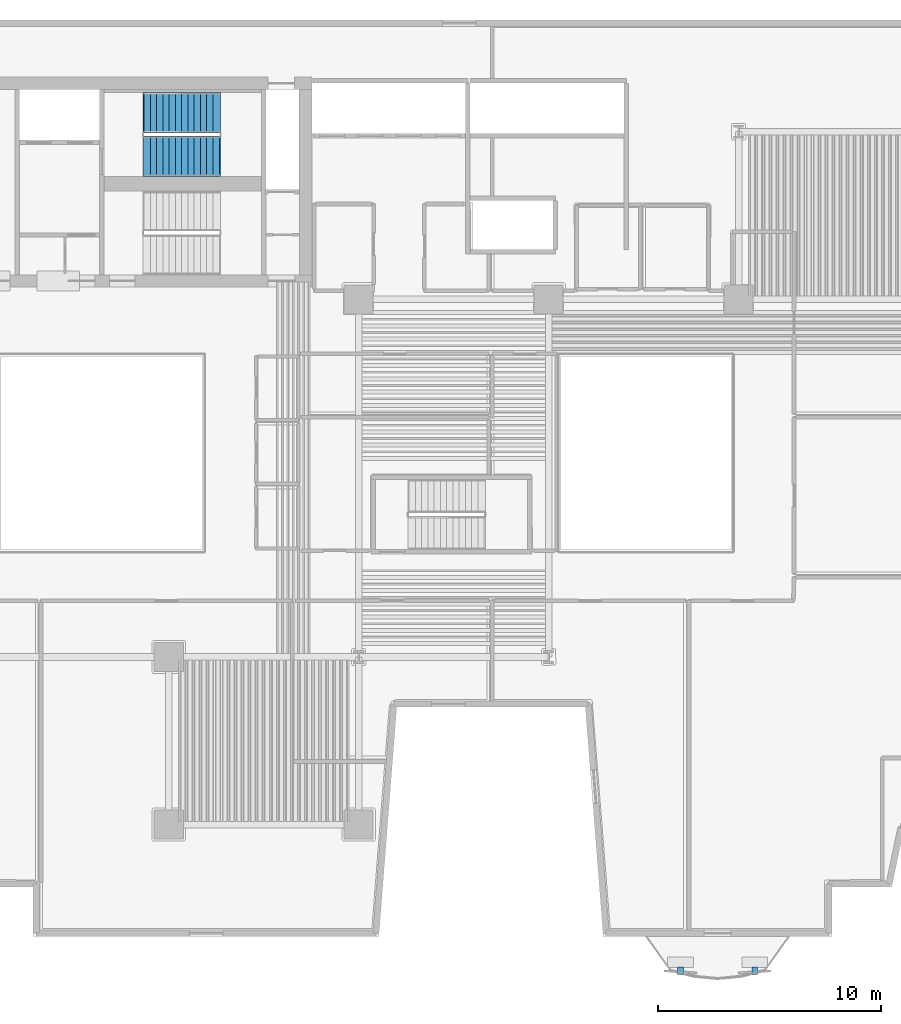
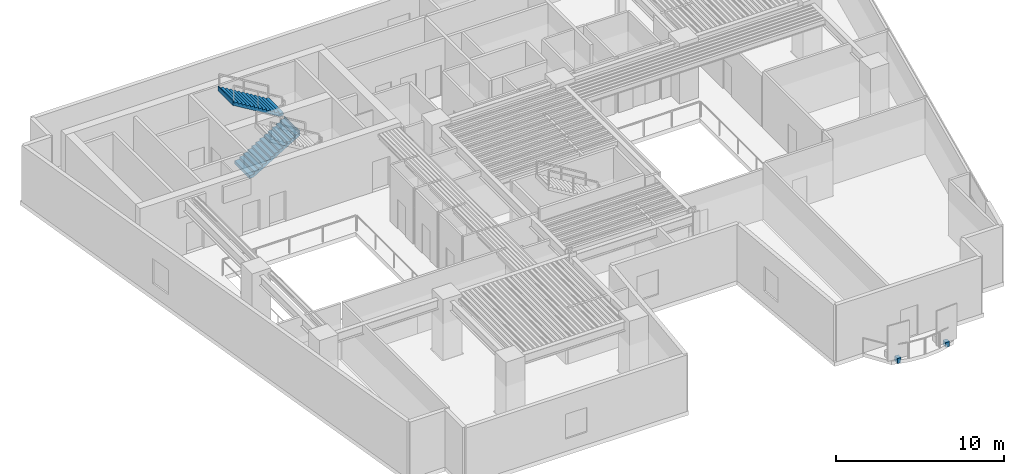
# One storey, part 7 of 12: 2 discrete accessories, 2 stair flights, 1 element without a shape of its own.
"""IFC4 building model written with IfcOpenShell, lengths in metres."""

from ifc_helpers import new_model, si_unit, direction, frame, origin, origin_2d, place, context, subcontext, project, spatial, polyline, rectangle, outline, extrude, material, type_object, element, aggregate, save


model = new_model("IFC4")

# Units and contexts
model_context = context("Model", 3, precision=1e-05, world=origin(), true_north=direction((0.0, 1.0)))
body_context = subcontext(model_context, "Body", "Model", "MODEL_VIEW")
ifc_project = project(units=[si_unit("LENGTHUNIT", "METRE"), si_unit("AREAUNIT", "SQUARE_METRE"), si_unit("VOLUMEUNIT", "CUBIC_METRE"), si_unit("PLANEANGLEUNIT", "RADIAN"), si_unit("MASSUNIT", "GRAM", prefix="KILO")], contexts=[model_context])

# Site, building, storey
site_placement = place(None, origin())
site = spatial("IfcSite", under=ifc_project, at=site_placement, CompositionType="ELEMENT")
building_placement = place(site_placement, origin())
building = spatial("IfcBuilding", under=site, at=building_placement, Name="Caeloran Harvest Quay", CompositionType="ELEMENT")
storey_placement = place(building_placement, frame((0.0, 0.0, 57.800048828125)))
storey = spatial("IfcBuildingStorey", under=building, at=storey_placement, Name="L13", CompositionType="ELEMENT", Elevation=57.800048828125)

# Stair, stair flights
ifc_material_1 = material(Name="Concrete C50/60", Category="concrete")
stair_type = type_object("IfcStairType", Name="STAIR-STC-180", PredefinedType="HALF_TURN_STAIR", material=ifc_material_1)
stair_placement = place(storey_placement, origin())
stair = element("IfcStair", 1, at=stair_placement, inside=storey, type_object=stair_type, Name="L13 Core Pressurized Exit Stair ST-C1", PredefinedType="HALF_TURN_STAIR")
stair_flight_type = type_object("IfcStairFlightType", Name="FLIGHT-STC-180", PredefinedType="STRAIGHT", material=ifc_material_1)
stair_flight_1_placement = place(storey_placement, frame((15.89990234375, 37.39990234375, 0.0), z_axis=(0.0, 0.0, 1.0), x_axis=(1.0, 0.0, 0.0)))
stair_flight_1 = element("IfcStairFlight", 2, at=stair_flight_1_placement, type_object=stair_flight_type, Name="ST-C1 flight 1", NumberOfRisers=13, NumberOfTreads=12, PredefinedType="STRAIGHT", RiserHeight=0.169230769, TreadLength=0.28, context=body_context, shape_type="SweptSolid", body=[
    extrude(outline(polyline([(-0.054931640625, -0.044921875), (-0.054931640625, -0.031494140625), (-0.054931640625, -0.018310546875), (-0.054931640625, -0.0048828125), (-0.054931640625, 0.008544921875), (-0.054931640625, 0.02197265625), (-0.054931640625, 0.035400390625), (-0.054931640625, 0.048828125), (-0.054931640625, 0.06201171875), (-0.054931640625, 0.075439453125), (-0.054931640625, 0.0888671875), (-0.054931640625, 0.102294921875), (-0.054931640625, 0.11572265625), (-0.054931640625, 0.129150390625), (-0.054931640625, 0.142333984375), (-0.054931640625, 0.15576171875), (-0.054931640625, 0.169189453125), (0.280029296875, 0.169189453125), (0.280029296875, 0.33837890625), (0.56005859375, 0.33837890625), (0.56005859375, 0.5078125), (0.840087890625, 0.5078125), (0.840087890625, 0.677001953125), (1.1201171875, 0.677001953125), (1.1201171875, 0.84619140625), (1.39990234375, 0.84619140625), (1.39990234375, 1.015380859375), (1.679931640625, 1.015380859375), (1.679931640625, 1.1845703125), (1.9599609375, 1.1845703125), (1.9599609375, 1.353759765625), (2.239990234375, 1.353759765625), (2.239990234375, 1.523193359375), (2.52001953125, 1.523193359375), (2.52001953125, 1.6923828125), (2.800048828125, 1.6923828125), (2.800048828125, 1.861572265625), (3.080078125, 1.861572265625), (3.080078125, 2.03076171875), (3.360107421875, 2.03076171875), (3.360107421875, 2.199951171875), (3.4150390625, 2.199951171875), (3.4150390625, 2.178466796875), (3.4150390625, 2.156982421875), (3.4150390625, 2.135498046875), (3.4150390625, 2.114013671875), (3.4150390625, 2.09228515625), (3.4150390625, 2.07080078125), (3.4150390625, 2.04931640625), (3.4150390625, 2.02783203125), (3.4150390625, 2.00634765625), (3.4150390625, 1.98486328125), (3.4150390625, 1.963134765625), (3.4150390625, 1.941650390625), (3.4150390625, 1.920166015625), (3.4150390625, 1.898681640625), (3.4150390625, 1.877197265625), (3.4150390625, 1.855712890625), (3.360107421875, 1.855712890625), (0.21533203125, -0.044921875), (-0.054931640625, -0.044921875)])), frame((0.0, 0.89990234375, 0.0), z_axis=(0.0, -1.0, 0.0), x_axis=(1.0, 0.0, 0.0)), (0.0, 0.0, 1.0), 1.800048828125),
])
stair_flight_2_placement = place(storey_placement, frame((19.260009765625, 39.35009765625, 2.199951171875), z_axis=(0.0, 0.0, 1.0), x_axis=(-1.0, 0.0, 0.0)))
stair_flight_2 = element("IfcStairFlight", 3, at=stair_flight_2_placement, type_object=stair_flight_type, Name="ST-C1 flight 2", NumberOfRisers=13, NumberOfTreads=12, PredefinedType="STRAIGHT", RiserHeight=0.169230769, TreadLength=0.28, context=body_context, shape_type="SweptSolid", body=[
    extrude(outline(polyline([(-0.054931640625, -0.044921875), (-0.054931640625, -0.031494140625), (-0.054931640625, -0.018310546875), (-0.054931640625, -0.0048828125), (-0.054931640625, 0.008544921875), (-0.054931640625, 0.02197265625), (-0.054931640625, 0.035400390625), (-0.054931640625, 0.048828125), (-0.054931640625, 0.06201171875), (-0.054931640625, 0.075439453125), (-0.054931640625, 0.0888671875), (-0.054931640625, 0.102294921875), (-0.054931640625, 0.11572265625), (-0.054931640625, 0.129150390625), (-0.054931640625, 0.142333984375), (-0.054931640625, 0.15576171875), (-0.054931640625, 0.169189453125), (0.280029296875, 0.169189453125), (0.280029296875, 0.33837890625), (0.56005859375, 0.33837890625), (0.56005859375, 0.5078125), (0.840087890625, 0.5078125), (0.840087890625, 0.677001953125), (1.1201171875, 0.677001953125), (1.1201171875, 0.84619140625), (1.39990234375, 0.84619140625), (1.39990234375, 1.015380859375), (1.679931640625, 1.015380859375), (1.679931640625, 1.1845703125), (1.9599609375, 1.1845703125), (1.9599609375, 1.353759765625), (2.239990234375, 1.353759765625), (2.239990234375, 1.523193359375), (2.52001953125, 1.523193359375), (2.52001953125, 1.6923828125), (2.800048828125, 1.6923828125), (2.800048828125, 1.861572265625), (3.080078125, 1.861572265625), (3.080078125, 2.03076171875), (3.360107421875, 2.03076171875), (3.360107421875, 2.199951171875), (3.4150390625, 2.199951171875), (3.4150390625, 2.178466796875), (3.4150390625, 2.156982421875), (3.4150390625, 2.135498046875), (3.4150390625, 2.114013671875), (3.4150390625, 2.09228515625), (3.4150390625, 2.07080078125), (3.4150390625, 2.04931640625), (3.4150390625, 2.02783203125), (3.4150390625, 2.00634765625), (3.4150390625, 1.98486328125), (3.4150390625, 1.963134765625), (3.4150390625, 1.941650390625), (3.4150390625, 1.920166015625), (3.4150390625, 1.898681640625), (3.4150390625, 1.877197265625), (3.4150390625, 1.855712890625), (3.360107421875, 1.855712890625), (0.21533203125, -0.044921875), (-0.054931640625, -0.044921875)])), frame((0.0, 0.89990234375, 0.0), z_axis=(0.0, -1.0, 0.0), x_axis=(1.0, 0.0, 0.0)), (0.0, 0.0, 1.0), 1.800048828125),
])
aggregate(stair, [stair_flight_1, stair_flight_2])

# Discrete accessories
ifc_material_2 = material(Name="Stainless Steel Grade 316L", Category="steel")
discrete_accessory_type = type_object("IfcDiscreteAccessoryType", Name="BRACKET-SCREEN-SS", PredefinedType="BRACKET", material=ifc_material_2)
for number, where, z_axis, x_axis, name in (
    (4, (43.218505859375, 0.96337890625, -0.22021484375), (0.0, 0.0, 1.0), (1.0, 0.0, 0.0), "L13 Balcony Screen Support Bracket 1"),
    (5, (39.8984375, 0.96337890625, -0.22021484375), (0.0, 0.0, 1.0), (1.0, 0.0, 0.0), "L13 Balcony Screen Support Bracket 2"),
):
    element("IfcDiscreteAccessory", number, at=place(storey_placement, frame(where, z_axis=z_axis, x_axis=x_axis)), inside=storey, type_object=discrete_accessory_type, Name=name, PredefinedType="BRACKET", context=body_context, shape_type="SweptSolid", body=[
        extrude(rectangle(XDim=0.260009765625, YDim=0.340087890625, at=origin_2d()), origin(), (0.0, 0.0, 1.0), 0.360107421875),
    ])

save(model, "model.ifc")
